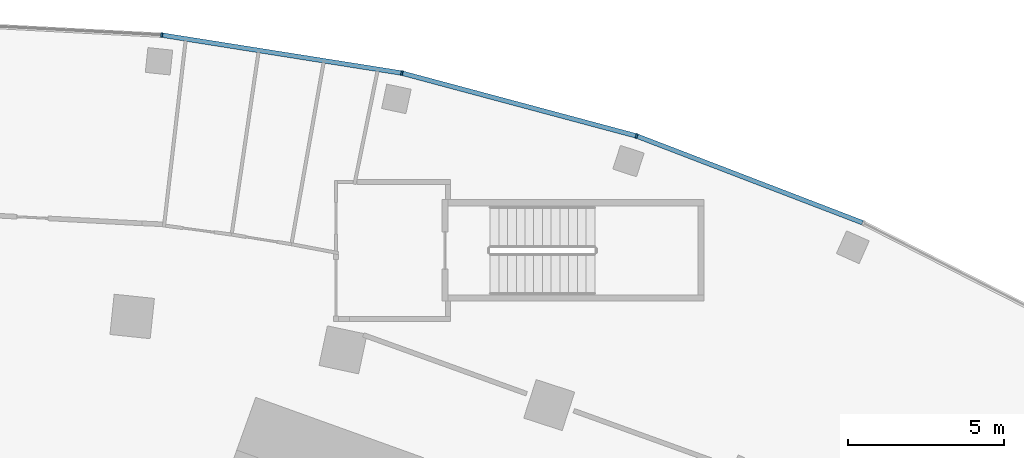
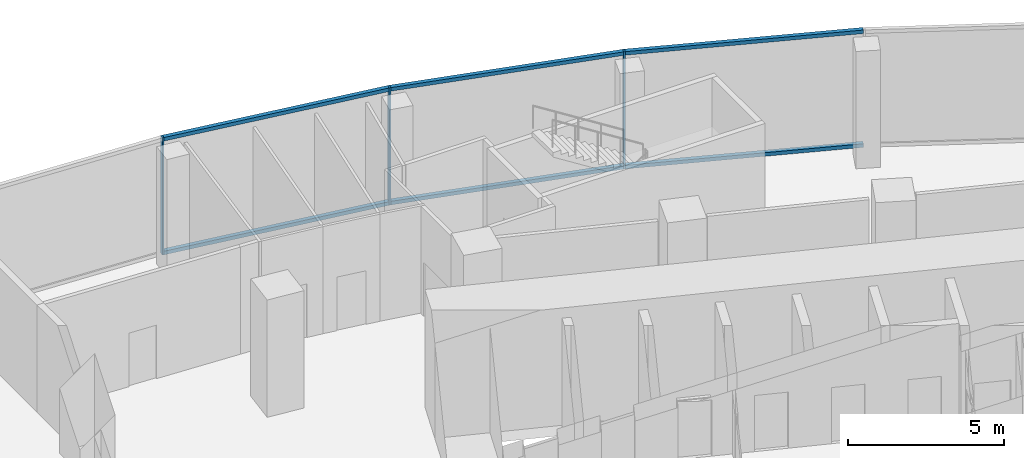
# One storey, part 12 of 39: 9 members, 1 element without a shape of its own.
"""IFC4 building model written with IfcOpenShell, lengths in metres."""

from ifc_helpers import new_model, si_unit, direction, frame, origin, origin_2d, place, context, subcontext, project, spatial, rectangle, extrude, material, layer, layer_set, material_profile, profile_set, type_object, element, aggregate, save


model = new_model("IFC4")

# Units and contexts
model_context = context("Model", 3, precision=1e-05, world=origin(), true_north=direction((0.0, 1.0)))
body_context = subcontext(model_context, "Body", "Model", "MODEL_VIEW")
ifc_project = project(units=[si_unit("LENGTHUNIT", "METRE"), si_unit("AREAUNIT", "SQUARE_METRE"), si_unit("VOLUMEUNIT", "CUBIC_METRE"), si_unit("PLANEANGLEUNIT", "RADIAN"), si_unit("MASSUNIT", "GRAM", prefix="KILO")], contexts=[model_context])

# Site, building, storey
site_placement = place(None, origin())
site = spatial("IfcSite", under=ifc_project, at=site_placement, CompositionType="ELEMENT")
building_placement = place(site_placement, origin())
building = spatial("IfcBuilding", under=site, at=building_placement, Name="Stone Belt Terrace Tower", CompositionType="ELEMENT")
storey_placement = place(building_placement, frame((0.0, 0.0, 20.800048828125)))
storey = spatial("IfcBuildingStorey", under=building, at=storey_placement, Name="L04", CompositionType="ELEMENT", Elevation=20.800048828125)

# Curtain wall, members
ifc_material = material(Name="Aluminium 6063-T6 anodised frame", Category="aluminium")
ifc_layer = layer(ifc_material, 0.14990234375)
ifc_layer_set = layer_set([ifc_layer], Name="CW-D podium shopfront")
curtain_wall_type = type_object("IfcCurtainWallType", Name="CW-D podium shopfront", PredefinedType="NOTDEFINED", material=ifc_layer_set)
curtain_wall_placement = place(storey_placement, origin())
curtain_wall = element("IfcCurtainWall", 1, at=curtain_wall_placement, inside=storey, type_object=curtain_wall_type, Name="CW-D convex face L04", PredefinedType="NOTDEFINED")
ifc_material_profile_1 = material_profile(ifc_material, rectangle(XDim=0.14990234375, YDim=0.06005859375, at=origin_2d()), Name="Aluminium 6063-T6 60x150")
ifc_profile_set_1 = profile_set([ifc_material_profile_1], Name="Aluminium 6063-T6 anodised frame")
member_type_1 = type_object("IfcMemberType", Name="CW-D mullion 60 x 150", PredefinedType="MULLION", material=ifc_profile_set_1)
member_1_placement = place(storey_placement, frame((23.044921875, 70.925048828125, 0.0), z_axis=(0.0, 0.0, 1.0), x_axis=(-0.309016994375, -0.951056516295, 0.0)))
member_1 = element("IfcMember", 2, at=member_1_placement, type_object=member_type_1, Name="CW-D mullion 10", PredefinedType="MULLION", context=body_context, shape_type="SweptSolid", body=[
    extrude(rectangle(XDim=0.14990234375, YDim=0.06005859375, at=origin_2d()), origin(), (0.0, 0.0, 1.0), 4.599853515625),
])
member_2_placement = place(storey_placement, frame((15.505126953125, 72.945556640625, 0.0), z_axis=(0.0, 0.0, 1.0), x_axis=(-0.207911690818, -0.978147600734, 0.0)))
member_2 = element("IfcMember", 3, at=member_2_placement, type_object=member_type_1, Name="CW-D mullion 11", PredefinedType="MULLION", context=body_context, shape_type="SweptSolid", body=[
    extrude(rectangle(XDim=0.14990234375, YDim=0.06005859375, at=origin_2d()), origin(), (0.0, 0.0, 1.0), 4.599853515625),
])
member_3_placement = place(storey_placement, frame((7.795166015625, 74.16650390625, 0.0), z_axis=(0.0, 0.0, 1.0), x_axis=(-0.104528463268, -0.994521895368, 0.0)))
member_3 = element("IfcMember", 4, at=member_3_placement, type_object=member_type_1, Name="CW-D mullion 12", PredefinedType="MULLION", context=body_context, shape_type="SweptSolid", body=[
    extrude(rectangle(XDim=0.14990234375, YDim=0.06005859375, at=origin_2d()), origin(), (0.0, 0.0, 1.0), 4.599853515625),
])
ifc_material_profile_2 = material_profile(ifc_material, rectangle(XDim=0.14990234375, YDim=0.139892578125, at=origin_2d()), Name="Aluminium 6063-T6 150x140")
ifc_profile_set_2 = profile_set([ifc_material_profile_2], Name="Aluminium 6063-T6 anodised frame")
member_type_2 = type_object("IfcMemberType", Name="CW-D transom 140 x 150", PredefinedType="USERDEFINED", material=ifc_profile_set_2)
member_4_placement = place(storey_placement, frame((30.30078125, 68.139892578125, 0.070068359375), z_axis=(-0.933575536994, 0.358380686878, 0.0), x_axis=(-0.358380686878, -0.933575536994, 0.0)))
member_4 = element("IfcMember", 5, at=member_4_placement, type_object=member_type_2, Name="CW-D transom 9.1", ObjectType="TRANSOM", PredefinedType="USERDEFINED", context=body_context, shape_type="SweptSolid", body=[
    extrude(rectangle(XDim=0.14990234375, YDim=0.139892578125, at=origin_2d()), origin(), (0.0, 0.0, 1.0), 7.738037109375),
])
member_5_placement = place(storey_placement, frame((30.30078125, 68.139892578125, 4.530029296875), z_axis=(-0.933575536994, 0.358380686878, 0.0), x_axis=(-0.358380686878, -0.933575536994, 0.0)))
member_5 = element("IfcMember", 6, at=member_5_placement, type_object=member_type_2, Name="CW-D transom 9.2", ObjectType="TRANSOM", PredefinedType="USERDEFINED", context=body_context, shape_type="SweptSolid", body=[
    extrude(rectangle(XDim=0.14990234375, YDim=0.139892578125, at=origin_2d()), origin(), (0.0, 0.0, 1.0), 7.738037109375),
])
member_6_placement = place(storey_placement, frame((23.01220703125, 70.933837890625, 0.070068359375), z_axis=(-0.965920024897, 0.258840695223, 0.0), x_axis=(-0.258840695223, -0.965920024897, 0.0)))
member_6 = element("IfcMember", 7, at=member_6_placement, type_object=member_type_2, Name="CW-D transom 10.1", ObjectType="TRANSOM", PredefinedType="USERDEFINED", context=body_context, shape_type="SweptSolid", body=[
    extrude(rectangle(XDim=0.14990234375, YDim=0.139892578125, at=origin_2d()), origin(), (0.0, 0.0, 1.0), 7.738037109375),
])
member_7_placement = place(storey_placement, frame((23.01220703125, 70.933837890625, 4.530029296875), z_axis=(-0.965920024897, 0.258840695223, 0.0), x_axis=(-0.258840695223, -0.965920024897, 0.0)))
member_7 = element("IfcMember", 8, at=member_7_placement, type_object=member_type_2, Name="CW-D transom 10.2", ObjectType="TRANSOM", PredefinedType="USERDEFINED", context=body_context, shape_type="SweptSolid", body=[
    extrude(rectangle(XDim=0.14990234375, YDim=0.139892578125, at=origin_2d()), origin(), (0.0, 0.0, 1.0), 7.738037109375),
])
member_8_placement = place(storey_placement, frame((15.4716796875, 72.95068359375, 0.070068359375), z_axis=(-0.987685334162, 0.156453445733, 0.0), x_axis=(-0.156453445733, -0.987685334162, 0.0)))
member_8 = element("IfcMember", 9, at=member_8_placement, type_object=member_type_2, Name="CW-D transom 11.1", ObjectType="TRANSOM", PredefinedType="USERDEFINED", context=body_context, shape_type="SweptSolid", body=[
    extrude(rectangle(XDim=0.14990234375, YDim=0.139892578125, at=origin_2d()), origin(), (0.0, 0.0, 1.0), 7.73828125),
])
member_9_placement = place(storey_placement, frame((15.4716796875, 72.95068359375, 4.530029296875), z_axis=(-0.987685334162, 0.156453445733, 0.0), x_axis=(-0.156453445733, -0.987685334162, 0.0)))
member_9 = element("IfcMember", 10, at=member_9_placement, type_object=member_type_2, Name="CW-D transom 11.2", ObjectType="TRANSOM", PredefinedType="USERDEFINED", context=body_context, shape_type="SweptSolid", body=[
    extrude(rectangle(XDim=0.14990234375, YDim=0.139892578125, at=origin_2d()), origin(), (0.0, 0.0, 1.0), 7.73828125),
])
aggregate(curtain_wall, [member_1, member_2, member_3, member_4, member_5, member_6, member_7, member_8, member_9])

save(model, "model.ifc")
